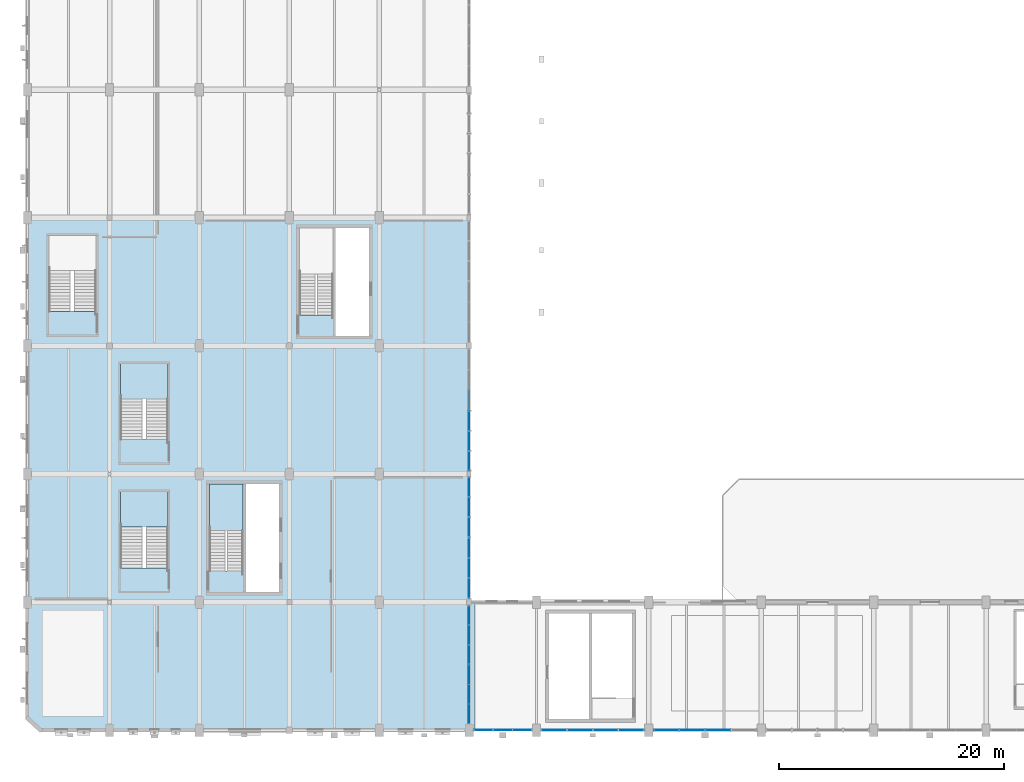
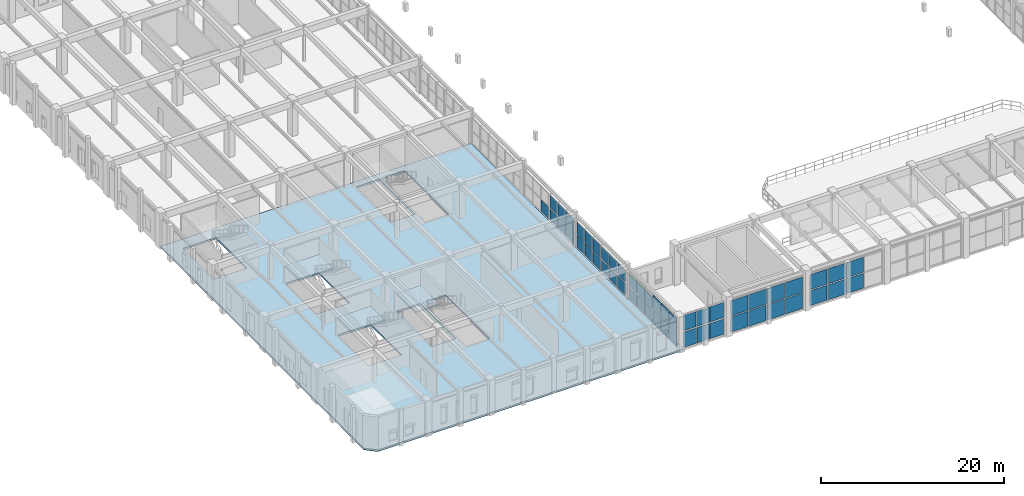
# One storey, part 68 of 106: 51 plates, 4 slabs, 12 elements without a shape of their own.
"""IFC4 building model written with IfcOpenShell, lengths in metres."""

import ifcopenshell
import ifcopenshell.guid

model = None  # the IFC model being written
_history = None  # IfcOwnerHistory: only IFC2X3 demands one
_inside = {}  # id of a spatial element -> (the spatial element, [elements in it])
_under = {}  # id of a project, library or spatial element -> (it, [spatial elements below it])
_declared = {}  # id of a project -> (the project, [libraries it declares])
_typed = {}  # id of a type object -> (the type object, [elements of that type])
_made_of = {}  # id of a material, layer set ... -> (it, [elements and type objects made of it])


def new_model(schema):
    """Start an empty IFC model of exactly this schema.

    Asked for "IFC4X3", IfcOpenShell would pick the latest addendum, in which some entities
    have other attributes; the version numbers below select the first issue.
    IFC2X3 requires an IfcOwnerHistory on every rooted entity: one is made here for all.
    """
    global model, _history
    if schema == "IFC4X3":
        model = ifcopenshell.file(schema_version=(4, 3, 0, 0))
    else:
        model = ifcopenshell.file(schema=schema)
    _inside.clear()
    _under.clear()
    _declared.clear()
    _typed.clear()
    _made_of.clear()
    _history = None
    if model.schema == "IFC2X3":
        org = make("IfcOrganization", Name="unknown")
        user = make(
            "IfcPersonAndOrganization",
            ThePerson=make("IfcPerson", FamilyName="unknown"),
            TheOrganization=org,
        )
        app = make(
            "IfcApplication",
            ApplicationDeveloper=org,
            Version="unknown",
            ApplicationFullName="unknown",
            ApplicationIdentifier="unknown",
        )
        _history = make(
            "IfcOwnerHistory",
            OwningUser=user,
            OwningApplication=app,
            ChangeAction="ADDED",
            CreationDate=0,
        )
    return model


def make(cls, **values):
    """One entity of the class cls with the attributes given. An attribute that is None is left unset."""
    return model.create_entity(
        cls, **{name: value for name, value in values.items() if value is not None}
    )


def rooted(cls, **values):
    """An entity with a GlobalId (a new one), such as an element, a storey or a relation."""
    return make(cls, GlobalId=ifcopenshell.guid.new(), OwnerHistory=_history, **values)


def si_unit(unit_type, name, prefix=None):
    """IfcSIUnit, for example si_unit("LENGTHUNIT", "METRE", prefix="MILLI")."""
    return make("IfcSIUnit", UnitType=unit_type, Prefix=prefix, Name=name)


def assignment(units):
    """IfcUnitAssignment: the units of a project."""
    return None if units is None else make("IfcUnitAssignment", Units=units)


def point(xyz):
    """IfcCartesianPoint."""
    return None if xyz is None else make("IfcCartesianPoint", Coordinates=xyz)


def direction(xyz):
    """IfcDirection."""
    return None if xyz is None else make("IfcDirection", DirectionRatios=xyz)


def frame(location, z_axis=None, x_axis=None):
    """IfcAxis2Placement3D, a coordinate frame: its origin and axes. An axis left out is left unset."""
    return make(
        "IfcAxis2Placement3D",
        Location=point(location),
        Axis=direction(z_axis),
        RefDirection=direction(x_axis),
    )


def frame_2d(location, x_axis=None):
    """IfcAxis2Placement2D, a coordinate frame in the plane: its origin and x axis."""
    return make(
        "IfcAxis2Placement2D", Location=point(location), RefDirection=direction(x_axis)
    )


def origin():
    """The frame at (0, 0, 0) with its axes left unset."""
    return frame((0.0, 0.0, 0.0))


def origin_2d():
    """The frame at (0, 0) in the plane with its x axis left unset."""
    return frame_2d((0.0, 0.0))


def place(relative_to, where):
    """IfcLocalPlacement: puts the frame where relative to a parent placement (None: the world)."""
    return make(
        "IfcLocalPlacement", PlacementRelTo=relative_to, RelativePlacement=where
    )


def context(
    kind, dimensions, precision=None, world=None, true_north=None, identifier=None
):
    """IfcGeometricRepresentationContext, for example the 3D "Model" context."""
    return make(
        "IfcGeometricRepresentationContext",
        ContextIdentifier=identifier,
        ContextType=kind,
        CoordinateSpaceDimension=dimensions,
        Precision=precision,
        WorldCoordinateSystem=world,
        TrueNorth=true_north,
    )


def subcontext(parent, identifier, kind, view, scale=None):
    """IfcGeometricRepresentationSubContext, for example "Body" below "Model"."""
    return make(
        "IfcGeometricRepresentationSubContext",
        ContextIdentifier=identifier,
        ContextType=kind,
        ParentContext=parent,
        TargetScale=scale,
        TargetView=view,
    )


def project(units=None, contexts=None):
    """IfcProject with its units and contexts."""
    return rooted(
        "IfcProject",
        Name="project",
        RepresentationContexts=contexts,
        UnitsInContext=assignment(units),
    )


def spatial(cls, under=None, at=None, **own):
    """A site, building, storey or space (cls), placed at a placement, below another one or the project."""
    s = rooted(cls, ObjectPlacement=at, **own)
    if under is not None:
        _under.setdefault(under.id(), (under, []))[1].append(s)
    return s


def polyline(points):
    """IfcPolyline through the points."""
    return make("IfcPolyline", Points=[point(p) for p in points])


def profile(cls, at=None, kind="AREA", **sizes):
    """A parametric profile (cls). Its sizes go by their IFC names, for example OverallWidth=200.0."""
    return make(cls, ProfileType=kind, Position=at, **sizes)


def rectangle(**sizes):
    """IfcRectangleProfileDef."""
    return profile("IfcRectangleProfileDef", **sizes)


def outline(outer, holes=None, kind="AREA"):
    """IfcArbitraryClosedProfileDef: a profile drawn as a closed curve; with holes, ...WithVoids."""
    if holes is None:
        return make("IfcArbitraryClosedProfileDef", ProfileType=kind, OuterCurve=outer)
    return make(
        "IfcArbitraryProfileDefWithVoids",
        ProfileType=kind,
        OuterCurve=outer,
        InnerCurves=holes,
    )


def extrude(swept, where, along, depth):
    """IfcExtrudedAreaSolid: the profile swept, set in the frame where, extruded along a direction by depth."""
    return make(
        "IfcExtrudedAreaSolid",
        SweptArea=swept,
        Position=where,
        ExtrudedDirection=direction(along),
        Depth=depth,
    )


def shape(context_of_items, identifier, shape_type, items):
    """IfcShapeRepresentation: the items that make up one representation, for example the "Body"."""
    return make(
        "IfcShapeRepresentation",
        ContextOfItems=context_of_items,
        RepresentationIdentifier=identifier,
        RepresentationType=shape_type,
        Items=items,
    )


def material(Name=None, Category=None):
    """IfcMaterial."""
    return make("IfcMaterial", Name=Name, Category=Category)


def layer(
    of_material, thickness, ventilated=None, Name=None, Category=None, Priority=None
):
    """IfcMaterialLayer: one layer of a wall or slab, of a material (None: an air gap)."""
    return make(
        "IfcMaterialLayer",
        Material=of_material,
        LayerThickness=thickness,
        IsVentilated=ventilated,
        Name=Name,
        Category=Category,
        Priority=Priority,
    )


def layer_set(layers, Name=None):
    """IfcMaterialLayerSet."""
    return make("IfcMaterialLayerSet", MaterialLayers=layers, LayerSetName=Name)


def made_of(thing, what):
    """Note that an element or type object is made of a material, layer set ...; save() writes the relation."""
    if what is not None:
        _made_of.setdefault(what.id(), (what, []))[1].append(thing)
    return thing


def type_object(cls, material=None, **own):
    """A type object (cls), such as IfcWallType, which elements share."""
    return made_of(rooted(cls, **own), material)


def element(
    cls,
    number,
    at=None,
    inside=None,
    cuts=None,
    type_object=None,
    material=None,
    context=None,
    identifier="Body",
    shape_type=None,
    held_by="IfcProductDefinitionShape",
    body=None,
    shapes=None,
    **own,
):
    """One element of the class cls, such as IfcWall. Its Tag is "e" and its number.

    at: its placement. inside: the storey or other place that contains it. cuts: it is an
    opening in that element (IfcRelVoidsElement). A single representation is given by context,
    identifier, shape_type and body (its items); several are given by shapes. held_by: the class
    of the entity that holds the representations. save() writes the other relations.
    """
    e = rooted(cls, Tag="e%d" % number, ObjectPlacement=at, **own)
    if body is not None:
        shapes = [shape(context, identifier, shape_type, body)]
    if shapes is not None:
        e.Representation = make(held_by, Representations=shapes)
    if inside is not None:
        _inside.setdefault(inside.id(), (inside, []))[1].append(e)
    if cuts is not None:
        rooted(
            "IfcRelVoidsElement", RelatingBuildingElement=cuts, RelatedOpeningElement=e
        )
    if type_object is not None:
        _typed.setdefault(type_object.id(), (type_object, []))[1].append(e)
    return made_of(e, material)


def aggregate(whole, parts):
    """IfcRelAggregates: a whole, such as a stair, and the parts it consists of."""
    return rooted("IfcRelAggregates", RelatingObject=whole, RelatedObjects=parts)


def save(model, path):
    """Write the relations noted so far, then the file.

    IfcRelAggregates (storeys below a building ...), IfcRelContainedInSpatialStructure (elements
    in a storey), IfcRelDefinesByType, IfcRelAssociatesMaterial and IfcRelDeclares: one each for
    every whole, place, type object, material and project.
    """
    for whole, parts in _under.values():
        aggregate(whole, parts)
    for where, things in _inside.values():
        rooted(
            "IfcRelContainedInSpatialStructure",
            RelatedElements=things,
            RelatingStructure=where,
        )
    for kind, things in _typed.values():
        rooted("IfcRelDefinesByType", RelatedObjects=things, RelatingType=kind)
    for what, things in _made_of.values():
        rooted("IfcRelAssociatesMaterial", RelatedObjects=things, RelatingMaterial=what)
    for by, libraries in _declared.values():
        rooted("IfcRelDeclares", RelatingContext=by, RelatedDefinitions=libraries)
    model.write(path)


model = new_model("IFC4")

# Units and contexts
model_context = context("Model", 3, precision=1e-05, world=origin(), true_north=direction((0.0, 1.0)))
body_context = subcontext(model_context, "Body", "Model", "MODEL_VIEW")
ifc_project = project(units=[si_unit("LENGTHUNIT", "METRE"), si_unit("AREAUNIT", "SQUARE_METRE"), si_unit("VOLUMEUNIT", "CUBIC_METRE"), si_unit("PLANEANGLEUNIT", "RADIAN"), si_unit("MASSUNIT", "GRAM", prefix="KILO"), si_unit("POWERUNIT", "WATT"), si_unit("THERMODYNAMICTEMPERATUREUNIT", "KELVIN")], contexts=[model_context])

# Site, building, storey
site_placement = place(None, origin())
site = spatial("IfcSite", under=ifc_project, at=site_placement, CompositionType="ELEMENT")
building_placement = place(site_placement, origin())
building = spatial("IfcBuilding", under=site, at=building_placement, Name="Kelmbourne Parkland Aquatics Centre", CompositionType="ELEMENT")
storey_placement = place(building_placement, frame((0.0, 0.0, 5.39990234375)))
storey = spatial("IfcBuildingStorey", under=building, at=storey_placement, Name="L01", CompositionType="ELEMENT", Elevation=5.39990234375)

# Curtain wall, plates
ifc_material_1 = material(Name="Thermally broken anodised aluminium framing", Category="aluminium")
ifc_layer_1 = layer(ifc_material_1, 0.179931640625)
ifc_layer_set_1 = layer_set([ifc_layer_1], Name="Thermally broken anodised aluminium framing")
curtain_wall_type_1 = type_object("IfcCurtainWallType", Name="CW-17", PredefinedType="NOTDEFINED", material=ifc_layer_set_1)
curtain_wall_1_placement = place(storey_placement, origin())
curtain_wall_1 = element("IfcCurtainWall", 1, at=curtain_wall_1_placement, inside=storey, type_object=curtain_wall_type_1, Name="Facade curtain wall CW-L01-161", PredefinedType="NOTDEFINED")
ifc_material_2 = material(Name="Double-glazed low-e laminated safety glass", Category="glass")
ifc_layer_2 = layer(ifc_material_2, 0.02392578125)
ifc_layer_set_2 = layer_set([ifc_layer_2], Name="Double-glazed low-e laminated safety glass")
plate_type_1 = type_object("IfcPlateType", Name="PL-CWP-1", PredefinedType="CURTAIN_PANEL", material=ifc_layer_set_2)
plate_1_placement = place(storey_placement, frame((41.2763671875, 0.800048828125, 2.39013671875), z_axis=(0.0, 0.0, 1.0), x_axis=(1.0, 0.0, 0.0)))
plate_1 = element("IfcPlate", 2, at=plate_1_placement, type_object=plate_type_1, Name="CW-L01-161 vision glazing 1-0", PredefinedType="CURTAIN_PANEL", context=body_context, shape_type="SweptSolid", body=[
    extrude(rectangle(XDim=1.66064453125, YDim=0.02392578125, at=origin_2d()), origin(), (0.0, 0.0, 1.0), 2.044921875),
])
plate_2_placement = place(storey_placement, frame((43.0, 0.800048828125, 2.39013671875), z_axis=(0.0, 0.0, 1.0), x_axis=(1.0, 0.0, 0.0)))
plate_2 = element("IfcPlate", 3, at=plate_2_placement, type_object=plate_type_1, Name="CW-L01-161 vision glazing 1-1", PredefinedType="CURTAIN_PANEL", context=body_context, shape_type="SweptSolid", body=[
    extrude(rectangle(XDim=1.66064453125, YDim=0.02392578125, at=origin_2d()), origin(), (0.0, 0.0, 1.0), 2.044921875),
])
plate_3_placement = place(storey_placement, frame((44.7236328125, 0.800048828125, 2.39013671875), z_axis=(0.0, 0.0, 1.0), x_axis=(1.0, 0.0, 0.0)))
plate_3 = element("IfcPlate", 4, at=plate_3_placement, type_object=plate_type_1, Name="CW-L01-161 vision glazing 1-2", PredefinedType="CURTAIN_PANEL", context=body_context, shape_type="SweptSolid", body=[
    extrude(rectangle(XDim=1.66064453125, YDim=0.02392578125, at=origin_2d()), origin(), (0.0, 0.0, 1.0), 2.044921875),
])

ifc_layer_3 = layer(ifc_material_1, 0.179931640625)
ifc_layer_set_3 = layer_set([ifc_layer_3], Name="Thermally broken anodised aluminium framing")
curtain_wall_type_2 = type_object("IfcCurtainWallType", Name="CW-18", PredefinedType="NOTDEFINED", material=ifc_layer_set_3)
curtain_wall_2_placement = place(storey_placement, origin())
curtain_wall_2 = element("IfcCurtainWall", 5, at=curtain_wall_2_placement, inside=storey, type_object=curtain_wall_type_2, Name="Facade curtain wall CW-L01-162", PredefinedType="NOTDEFINED")
plate_4_placement = place(storey_placement, frame((47.564697265625, 0.800048828125, 0.1171875), z_axis=(0.0, 0.0, 1.0), x_axis=(1.0, 0.0, 0.0)))
plate_4 = element("IfcPlate", 6, at=plate_4_placement, type_object=plate_type_1, Name="CW-L01-162 vision glazing 0-0", PredefinedType="CURTAIN_PANEL", context=body_context, shape_type="SweptSolid", body=[
    extrude(rectangle(XDim=2.21728515625, YDim=0.02392578125, at=origin_2d()), origin(), (0.0, 0.0, 1.0), 2.051513671875),
])
plate_5_placement = place(storey_placement, frame((49.854736328125, 0.800048828125, 0.1171875), z_axis=(0.0, 0.0, 1.0), x_axis=(1.0, 0.0, 0.0)))
plate_5 = element("IfcPlate", 7, at=plate_5_placement, type_object=plate_type_1, Name="CW-L01-162 vision glazing 0-1", PredefinedType="CURTAIN_PANEL", context=body_context, shape_type="SweptSolid", body=[
    extrude(rectangle(XDim=2.21728515625, YDim=0.02392578125, at=origin_2d()), origin(), (0.0, 0.0, 1.0), 2.051513671875),
])
plate_6_placement = place(storey_placement, frame((52.14501953125, 0.800048828125, 0.1171875), z_axis=(0.0, 0.0, 1.0), x_axis=(1.0, 0.0, 0.0)))
plate_6 = element("IfcPlate", 8, at=plate_6_placement, type_object=plate_type_1, Name="CW-L01-162 vision glazing 0-2", PredefinedType="CURTAIN_PANEL", context=body_context, shape_type="SweptSolid", body=[
    extrude(rectangle(XDim=2.21728515625, YDim=0.02392578125, at=origin_2d()), origin(), (0.0, 0.0, 1.0), 2.051513671875),
])
plate_7_placement = place(storey_placement, frame((54.435302734375, 0.800048828125, 0.1171875), z_axis=(0.0, 0.0, 1.0), x_axis=(1.0, 0.0, 0.0)))
plate_7 = element("IfcPlate", 9, at=plate_7_placement, type_object=plate_type_1, Name="CW-L01-162 vision glazing 0-3", PredefinedType="CURTAIN_PANEL", context=body_context, shape_type="SweptSolid", body=[
    extrude(rectangle(XDim=2.21728515625, YDim=0.02392578125, at=origin_2d()), origin(), (0.0, 0.0, 1.0), 2.051513671875),
])

ifc_layer_4 = layer(ifc_material_1, 0.179931640625)
ifc_layer_set_4 = layer_set([ifc_layer_4], Name="Thermally broken anodised aluminium framing")
curtain_wall_type_3 = type_object("IfcCurtainWallType", Name="CW-09", PredefinedType="NOTDEFINED", material=ifc_layer_set_4)
curtain_wall_3_placement = place(storey_placement, origin())
curtain_wall_3 = element("IfcCurtainWall", 10, at=curtain_wall_3_placement, inside=storey, type_object=curtain_wall_type_3, Name="Facade curtain wall CW-L01-225", PredefinedType="NOTDEFINED")
plate_8_placement = place(storey_placement, frame((40.0, 2.25244140625, 0.1171875), z_axis=(0.0, 0.0, 1.0), x_axis=(0.0, 1.0, 0.0)))
plate_8 = element("IfcPlate", 11, at=plate_8_placement, type_object=plate_type_1, Name="CW-L01-225 vision glazing 0-0", PredefinedType="CURTAIN_PANEL", context=body_context, shape_type="SweptSolid", body=[
    extrude(rectangle(XDim=1.68310546875, YDim=0.02392578125, at=origin_2d()), origin(), (0.0, 0.0, 1.0), 1.8349609375),
])
plate_9_placement = place(storey_placement, frame((40.0, 3.988525390625, 0.1171875), z_axis=(0.0, 0.0, 1.0), x_axis=(0.0, 1.0, 0.0)))
plate_9 = element("IfcPlate", 12, at=plate_9_placement, type_object=plate_type_1, Name="CW-L01-225 vision glazing 0-1", PredefinedType="CURTAIN_PANEL", context=body_context, shape_type="SweptSolid", body=[
    extrude(rectangle(XDim=1.68310546875, YDim=0.02392578125, at=origin_2d()), origin(), (0.0, 0.0, 1.0), 1.8349609375),
])
plate_10_placement = place(storey_placement, frame((40.0, 5.724609375, 0.1171875), z_axis=(0.0, 0.0, 1.0), x_axis=(0.0, 1.0, 0.0)))
plate_10 = element("IfcPlate", 13, at=plate_10_placement, type_object=plate_type_1, Name="CW-L01-225 vision glazing 0-2", PredefinedType="CURTAIN_PANEL", context=body_context, shape_type="SweptSolid", body=[
    extrude(rectangle(XDim=1.68310546875, YDim=0.02392578125, at=origin_2d()), origin(), (0.0, 0.0, 1.0), 1.8349609375),
])

ifc_layer_5 = layer(ifc_material_1, 0.179931640625)
ifc_layer_set_5 = layer_set([ifc_layer_5], Name="Thermally broken anodised aluminium framing")
curtain_wall_type_4 = type_object("IfcCurtainWallType", Name="CW-11", PredefinedType="NOTDEFINED", material=ifc_layer_set_5)
curtain_wall_4_placement = place(storey_placement, origin())
curtain_wall_4 = element("IfcCurtainWall", 14, at=curtain_wall_4_placement, inside=storey, type_object=curtain_wall_type_4, Name="Facade curtain wall CW-L01-227", PredefinedType="NOTDEFINED")
plate_11_placement = place(storey_placement, frame((40.0, 13.43408203125, 1.90673828125), z_axis=(0.0, 0.0, 1.0), x_axis=(0.0, 1.0, 0.0)))
plate_11 = element("IfcPlate", 15, at=plate_11_placement, type_object=plate_type_1, Name="CW-L01-227 vision glazing 1-0", PredefinedType="CURTAIN_PANEL", context=body_context, shape_type="SweptSolid", body=[
    extrude(rectangle(XDim=1.706298828125, YDim=0.02392578125, at=origin_2d()), origin(), (0.0, 0.0, 1.0), 1.5615234375),
])
plate_12_placement = place(storey_placement, frame((40.0, 15.21337890625, 1.90673828125), z_axis=(0.0, 0.0, 1.0), x_axis=(0.0, 1.0, 0.0)))
plate_12 = element("IfcPlate", 16, at=plate_12_placement, type_object=plate_type_1, Name="CW-L01-227 vision glazing 1-1", PredefinedType="CURTAIN_PANEL", context=body_context, shape_type="SweptSolid", body=[
    extrude(rectangle(XDim=1.706298828125, YDim=0.02392578125, at=origin_2d()), origin(), (0.0, 0.0, 1.0), 1.5615234375),
])
plate_13_placement = place(storey_placement, frame((40.0, 16.992919921875, 1.90673828125), z_axis=(0.0, 0.0, 1.0), x_axis=(0.0, 1.0, 0.0)))
plate_13 = element("IfcPlate", 17, at=plate_13_placement, type_object=plate_type_1, Name="CW-L01-227 vision glazing 1-2", PredefinedType="CURTAIN_PANEL", context=body_context, shape_type="SweptSolid", body=[
    extrude(rectangle(XDim=1.706298828125, YDim=0.02392578125, at=origin_2d()), origin(), (0.0, 0.0, 1.0), 1.5615234375),
])

ifc_layer_6 = layer(ifc_material_1, 0.179931640625)
ifc_layer_set_6 = layer_set([ifc_layer_6], Name="Thermally broken anodised aluminium framing")
curtain_wall_type_5 = type_object("IfcCurtainWallType", Name="CW-12", PredefinedType="NOTDEFINED", material=ifc_layer_set_6)
curtain_wall_5_placement = place(storey_placement, origin())
curtain_wall_5 = element("IfcCurtainWall", 18, at=curtain_wall_5_placement, inside=storey, type_object=curtain_wall_type_5, Name="Facade curtain wall CW-L01-228", PredefinedType="NOTDEFINED")
plate_14_placement = place(storey_placement, frame((40.0, 18.860595703125, 0.1171875), z_axis=(0.0, 0.0, 1.0), x_axis=(0.0, 1.0, 0.0)))
plate_14 = element("IfcPlate", 19, at=plate_14_placement, type_object=plate_type_1, Name="CW-L01-228 vision glazing 0-0", PredefinedType="CURTAIN_PANEL", context=body_context, shape_type="SweptSolid", body=[
    extrude(rectangle(XDim=1.693115234375, YDim=0.02392578125, at=origin_2d()), origin(), (0.0, 0.0, 1.0), 1.651611328125),
])
plate_15_placement = place(storey_placement, frame((40.0, 20.636474609375, 0.1171875), z_axis=(0.0, 0.0, 1.0), x_axis=(0.0, 1.0, 0.0)))
plate_15 = element("IfcPlate", 20, at=plate_15_placement, type_object=plate_type_1, Name="CW-L01-228 vision glazing 0-1", PredefinedType="CURTAIN_PANEL", context=body_context, shape_type="SweptSolid", body=[
    extrude(rectangle(XDim=1.693115234375, YDim=0.02392578125, at=origin_2d()), origin(), (0.0, 0.0, 1.0), 1.651611328125),
])
plate_16_placement = place(storey_placement, frame((40.0, 22.41259765625, 0.1171875), z_axis=(0.0, 0.0, 1.0), x_axis=(0.0, 1.0, 0.0)))
plate_16 = element("IfcPlate", 21, at=plate_16_placement, type_object=plate_type_1, Name="CW-L01-228 vision glazing 0-2", PredefinedType="CURTAIN_PANEL", context=body_context, shape_type="SweptSolid", body=[
    extrude(rectangle(XDim=1.693115234375, YDim=0.02392578125, at=origin_2d()), origin(), (0.0, 0.0, 1.0), 1.651611328125),
])

# Plate
ifc_layer_7 = layer(ifc_material_2, 0.035888671875)
ifc_layer_set_7 = layer_set([ifc_layer_7], Name="Double-glazed low-e laminated safety glass")
plate_type_2 = type_object("IfcPlateType", Name="PL-CWP-2", PredefinedType="CURTAIN_PANEL", material=ifc_layer_set_7)
plate_17_placement = place(storey_placement, frame((47.564697265625, 0.800048828125, 2.2763671875), z_axis=(0.0, 0.0, 1.0), x_axis=(1.0, 0.0, 0.0)))
plate_17 = element("IfcPlate", 22, at=plate_17_placement, type_object=plate_type_2, Name="CW-L01-162 vision glazing 1-0", PredefinedType="CURTAIN_PANEL", context=body_context, shape_type="SweptSolid", body=[
    extrude(rectangle(XDim=2.21728515625, YDim=0.035888671875, at=origin_2d()), origin(), (0.0, 0.0, 1.0), 2.051513671875),
])

plate_18_placement = place(storey_placement, frame((49.854736328125, 0.800048828125, 2.2763671875), z_axis=(0.0, 0.0, 1.0), x_axis=(1.0, 0.0, 0.0)))
plate_18 = element("IfcPlate", 23, at=plate_18_placement, type_object=plate_type_2, Name="CW-L01-162 vision glazing 1-1", PredefinedType="CURTAIN_PANEL", context=body_context, shape_type="SweptSolid", body=[
    extrude(rectangle(XDim=2.21728515625, YDim=0.035888671875, at=origin_2d()), origin(), (0.0, 0.0, 1.0), 2.051513671875),
])

plate_19_placement = place(storey_placement, frame((52.14501953125, 0.800048828125, 2.2763671875), z_axis=(0.0, 0.0, 1.0), x_axis=(1.0, 0.0, 0.0)))
plate_19 = element("IfcPlate", 24, at=plate_19_placement, type_object=plate_type_2, Name="CW-L01-162 vision glazing 1-2", PredefinedType="CURTAIN_PANEL", context=body_context, shape_type="SweptSolid", body=[
    extrude(rectangle(XDim=2.21728515625, YDim=0.035888671875, at=origin_2d()), origin(), (0.0, 0.0, 1.0), 2.051513671875),
])

plate_20_placement = place(storey_placement, frame((54.435302734375, 0.800048828125, 2.2763671875), z_axis=(0.0, 0.0, 1.0), x_axis=(1.0, 0.0, 0.0)))
plate_20 = element("IfcPlate", 25, at=plate_20_placement, type_object=plate_type_2, Name="CW-L01-162 vision glazing 1-3", PredefinedType="CURTAIN_PANEL", context=body_context, shape_type="SweptSolid", body=[
    extrude(rectangle(XDim=2.21728515625, YDim=0.035888671875, at=origin_2d()), origin(), (0.0, 0.0, 1.0), 2.051513671875),
])

aggregate(curtain_wall_2, [plate_4, plate_5, plate_6, plate_7, plate_17, plate_18, plate_19, plate_20])

# Curtain wall, plates
ifc_layer_8 = layer(ifc_material_1, 0.179931640625)
ifc_layer_set_8 = layer_set([ifc_layer_8], Name="Thermally broken anodised aluminium framing")
curtain_wall_type_6 = type_object("IfcCurtainWallType", Name="CW-19", PredefinedType="NOTDEFINED", material=ifc_layer_set_8)
curtain_wall_6_placement = place(storey_placement, origin())
curtain_wall_6 = element("IfcCurtainWall", 26, at=curtain_wall_6_placement, inside=storey, type_object=curtain_wall_type_6, Name="Facade curtain wall CW-L01-163", PredefinedType="NOTDEFINED")
plate_21_placement = place(storey_placement, frame((57.568359375, 0.800048828125, 0.14697265625), z_axis=(0.0, 0.0, 1.0), x_axis=(1.0, 0.0, 0.0)))
plate_21 = element("IfcPlate", 27, at=plate_21_placement, type_object=plate_type_2, Name="CW-L01-163 vision glazing 0-0", PredefinedType="CURTAIN_PANEL", context=body_context, shape_type="SweptSolid", body=[
    extrude(rectangle(XDim=2.204833984375, YDim=0.035888671875, at=origin_2d()), origin(), (0.0, 0.0, 1.0), 2.006591796875),
])
plate_22_placement = place(storey_placement, frame((59.856201171875, 0.800048828125, 0.14697265625), z_axis=(0.0, 0.0, 1.0), x_axis=(1.0, 0.0, 0.0)))
plate_22 = element("IfcPlate", 28, at=plate_22_placement, type_object=plate_type_2, Name="CW-L01-163 vision glazing 0-1", PredefinedType="CURTAIN_PANEL", context=body_context, shape_type="SweptSolid", body=[
    extrude(rectangle(XDim=2.20458984375, YDim=0.035888671875, at=origin_2d()), origin(), (0.0, 0.0, 1.0), 2.006591796875),
])
plate_23_placement = place(storey_placement, frame((62.143798828125, 0.800048828125, 0.14697265625), z_axis=(0.0, 0.0, 1.0), x_axis=(1.0, 0.0, 0.0)))
plate_23 = element("IfcPlate", 29, at=plate_23_placement, type_object=plate_type_2, Name="CW-L01-163 vision glazing 0-2", PredefinedType="CURTAIN_PANEL", context=body_context, shape_type="SweptSolid", body=[
    extrude(rectangle(XDim=2.204833984375, YDim=0.035888671875, at=origin_2d()), origin(), (0.0, 0.0, 1.0), 2.006591796875),
])

# Plate
plate_24_placement = place(storey_placement, frame((40.0, 2.25244140625, 2.06005859375), z_axis=(0.0, 0.0, 1.0), x_axis=(0.0, 1.0, 0.0)))
plate_24 = element("IfcPlate", 30, at=plate_24_placement, type_object=plate_type_2, Name="CW-L01-225 vision glazing 1-0", PredefinedType="CURTAIN_PANEL", context=body_context, shape_type="SweptSolid", body=[
    extrude(rectangle(XDim=1.68310546875, YDim=0.035888671875, at=origin_2d()), origin(), (0.0, 0.0, 1.0), 1.8349609375),
])

plate_25_placement = place(storey_placement, frame((40.0, 3.988525390625, 2.06005859375), z_axis=(0.0, 0.0, 1.0), x_axis=(0.0, 1.0, 0.0)))
plate_25 = element("IfcPlate", 31, at=plate_25_placement, type_object=plate_type_2, Name="CW-L01-225 vision glazing 1-1", PredefinedType="CURTAIN_PANEL", context=body_context, shape_type="SweptSolid", body=[
    extrude(rectangle(XDim=1.68310546875, YDim=0.035888671875, at=origin_2d()), origin(), (0.0, 0.0, 1.0), 1.8349609375),
])

plate_26_placement = place(storey_placement, frame((40.0, 5.724609375, 2.06005859375), z_axis=(0.0, 0.0, 1.0), x_axis=(0.0, 1.0, 0.0)))
plate_26 = element("IfcPlate", 32, at=plate_26_placement, type_object=plate_type_2, Name="CW-L01-225 vision glazing 1-2", PredefinedType="CURTAIN_PANEL", context=body_context, shape_type="SweptSolid", body=[
    extrude(rectangle(XDim=1.68310546875, YDim=0.035888671875, at=origin_2d()), origin(), (0.0, 0.0, 1.0), 1.8349609375),
])

aggregate(curtain_wall_3, [plate_8, plate_9, plate_10, plate_24, plate_25, plate_26])

# Curtain wall, plates
ifc_layer_9 = layer(ifc_material_1, 0.179931640625)
ifc_layer_set_9 = layer_set([ifc_layer_9], Name="Thermally broken anodised aluminium framing")
curtain_wall_type_7 = type_object("IfcCurtainWallType", Name="CW-10", PredefinedType="NOTDEFINED", material=ifc_layer_set_9)
curtain_wall_7_placement = place(storey_placement, origin())
curtain_wall_7 = element("IfcCurtainWall", 33, at=curtain_wall_7_placement, inside=storey, type_object=curtain_wall_type_7, Name="Facade curtain wall CW-L01-226", PredefinedType="NOTDEFINED")
plate_27_placement = place(storey_placement, frame((40.0, 7.52880859375, 0.14697265625), z_axis=(0.0, 0.0, 1.0), x_axis=(0.0, 1.0, 0.0)))
plate_27 = element("IfcPlate", 34, at=plate_27_placement, type_object=plate_type_2, Name="CW-L01-226 vision glazing 0-0", PredefinedType="CURTAIN_PANEL", context=body_context, shape_type="SweptSolid", body=[
    extrude(rectangle(XDim=1.669677734375, YDim=0.035888671875, at=origin_2d()), origin(), (0.0, 0.0, 1.0), 1.6064453125),
])
plate_28_placement = place(storey_placement, frame((40.0, 9.261474609375, 0.14697265625), z_axis=(0.0, 0.0, 1.0), x_axis=(0.0, 1.0, 0.0)))
plate_28 = element("IfcPlate", 35, at=plate_28_placement, type_object=plate_type_2, Name="CW-L01-226 vision glazing 0-1", PredefinedType="CURTAIN_PANEL", context=body_context, shape_type="SweptSolid", body=[
    extrude(rectangle(XDim=1.669677734375, YDim=0.035888671875, at=origin_2d()), origin(), (0.0, 0.0, 1.0), 1.6064453125),
])
plate_29_placement = place(storey_placement, frame((40.0, 10.994140625, 0.14697265625), z_axis=(0.0, 0.0, 1.0), x_axis=(0.0, 1.0, 0.0)))
plate_29 = element("IfcPlate", 36, at=plate_29_placement, type_object=plate_type_2, Name="CW-L01-226 vision glazing 0-2", PredefinedType="CURTAIN_PANEL", context=body_context, shape_type="SweptSolid", body=[
    extrude(rectangle(XDim=1.669677734375, YDim=0.035888671875, at=origin_2d()), origin(), (0.0, 0.0, 1.0), 1.6064453125),
])

# Plate
plate_30_placement = place(storey_placement, frame((40.0, 18.860595703125, 1.87646484375), z_axis=(0.0, 0.0, 1.0), x_axis=(0.0, 1.0, 0.0)))
plate_30 = element("IfcPlate", 37, at=plate_30_placement, type_object=plate_type_2, Name="CW-L01-228 vision glazing 1-0", PredefinedType="CURTAIN_PANEL", context=body_context, shape_type="SweptSolid", body=[
    extrude(rectangle(XDim=1.693115234375, YDim=0.035888671875, at=origin_2d()), origin(), (0.0, 0.0, 1.0), 1.651611328125),
])

plate_31_placement = place(storey_placement, frame((40.0, 20.636474609375, 1.87646484375), z_axis=(0.0, 0.0, 1.0), x_axis=(0.0, 1.0, 0.0)))
plate_31 = element("IfcPlate", 38, at=plate_31_placement, type_object=plate_type_2, Name="CW-L01-228 vision glazing 1-1", PredefinedType="CURTAIN_PANEL", context=body_context, shape_type="SweptSolid", body=[
    extrude(rectangle(XDim=1.693115234375, YDim=0.035888671875, at=origin_2d()), origin(), (0.0, 0.0, 1.0), 1.651611328125),
])

plate_32_placement = place(storey_placement, frame((40.0, 22.41259765625, 1.87646484375), z_axis=(0.0, 0.0, 1.0), x_axis=(0.0, 1.0, 0.0)))
plate_32 = element("IfcPlate", 39, at=plate_32_placement, type_object=plate_type_2, Name="CW-L01-228 vision glazing 1-2", PredefinedType="CURTAIN_PANEL", context=body_context, shape_type="SweptSolid", body=[
    extrude(rectangle(XDim=1.693115234375, YDim=0.035888671875, at=origin_2d()), origin(), (0.0, 0.0, 1.0), 1.651611328125),
])

aggregate(curtain_wall_5, [plate_14, plate_15, plate_16, plate_30, plate_31, plate_32])

# Curtain wall, plates
ifc_layer_10 = layer(ifc_material_1, 0.179931640625)
ifc_layer_set_10 = layer_set([ifc_layer_10], Name="Thermally broken anodised aluminium framing")
curtain_wall_type_8 = type_object("IfcCurtainWallType", Name="CW-13", PredefinedType="NOTDEFINED", material=ifc_layer_set_10)
curtain_wall_8_placement = place(storey_placement, origin())
curtain_wall_8 = element("IfcCurtainWall", 40, at=curtain_wall_8_placement, inside=storey, type_object=curtain_wall_type_8, Name="Facade curtain wall CW-L01-229", PredefinedType="NOTDEFINED")
plate_33_placement = place(storey_placement, frame((40.0, 24.790771484375, 0.14697265625), z_axis=(0.0, 0.0, 1.0), x_axis=(0.0, 1.0, 0.0)))
plate_33 = element("IfcPlate", 41, at=plate_33_placement, type_object=plate_type_2, Name="CW-L01-229 vision glazing 0-0", PredefinedType="CURTAIN_PANEL", context=body_context, shape_type="SweptSolid", body=[
    extrude(rectangle(XDim=1.6796875, YDim=0.035888671875, at=origin_2d()), origin(), (0.0, 0.0, 1.0), 1.6064453125),
])
plate_34_placement = place(storey_placement, frame((40.0, 26.5634765625, 0.14697265625), z_axis=(0.0, 0.0, 1.0), x_axis=(0.0, 1.0, 0.0)))
plate_34 = element("IfcPlate", 42, at=plate_34_placement, type_object=plate_type_2, Name="CW-L01-229 vision glazing 0-1", PredefinedType="CURTAIN_PANEL", context=body_context, shape_type="SweptSolid", body=[
    extrude(rectangle(XDim=1.6796875, YDim=0.035888671875, at=origin_2d()), origin(), (0.0, 0.0, 1.0), 1.6064453125),
])
plate_35_placement = place(storey_placement, frame((40.0, 28.336181640625, 0.14697265625), z_axis=(0.0, 0.0, 1.0), x_axis=(0.0, 1.0, 0.0)))
plate_35 = element("IfcPlate", 43, at=plate_35_placement, type_object=plate_type_2, Name="CW-L01-229 vision glazing 0-2", PredefinedType="CURTAIN_PANEL", context=body_context, shape_type="SweptSolid", body=[
    extrude(rectangle(XDim=1.6796875, YDim=0.035888671875, at=origin_2d()), origin(), (0.0, 0.0, 1.0), 1.6064453125),
])

# Plate
ifc_layer_11 = layer(ifc_material_2, 0.048095703125)
ifc_layer_set_11 = layer_set([ifc_layer_11], Name="Double-glazed low-e laminated safety glass")
plate_type_3 = type_object("IfcPlateType", Name="PL-CWP-3", PredefinedType="CURTAIN_PANEL", material=ifc_layer_set_11)
plate_36_placement = place(storey_placement, frame((41.2763671875, 0.800048828125, 0.17724609375), z_axis=(0.0, 0.0, 1.0), x_axis=(1.0, 0.0, 0.0)))
plate_36 = element("IfcPlate", 44, at=plate_36_placement, type_object=plate_type_3, Name="CW-L01-161 vision glazing 0-0", PredefinedType="CURTAIN_PANEL", context=body_context, shape_type="SweptSolid", body=[
    extrude(rectangle(XDim=1.66064453125, YDim=0.048095703125, at=origin_2d()), origin(), (0.0, 0.0, 1.0), 2.044921875),
])

plate_37_placement = place(storey_placement, frame((43.0, 0.800048828125, 0.17724609375), z_axis=(0.0, 0.0, 1.0), x_axis=(1.0, 0.0, 0.0)))
plate_37 = element("IfcPlate", 45, at=plate_37_placement, type_object=plate_type_3, Name="CW-L01-161 vision glazing 0-1", PredefinedType="CURTAIN_PANEL", context=body_context, shape_type="SweptSolid", body=[
    extrude(rectangle(XDim=1.66064453125, YDim=0.048095703125, at=origin_2d()), origin(), (0.0, 0.0, 1.0), 2.044921875),
])

plate_38_placement = place(storey_placement, frame((44.7236328125, 0.800048828125, 0.17724609375), z_axis=(0.0, 0.0, 1.0), x_axis=(1.0, 0.0, 0.0)))
plate_38 = element("IfcPlate", 46, at=plate_38_placement, type_object=plate_type_3, Name="CW-L01-161 vision glazing 0-2", PredefinedType="CURTAIN_PANEL", context=body_context, shape_type="SweptSolid", body=[
    extrude(rectangle(XDim=1.66064453125, YDim=0.048095703125, at=origin_2d()), origin(), (0.0, 0.0, 1.0), 2.044921875),
])

aggregate(curtain_wall_1, [plate_36, plate_37, plate_38, plate_1, plate_2, plate_3])

plate_39_placement = place(storey_placement, frame((57.568359375, 0.800048828125, 2.29150390625), z_axis=(0.0, 0.0, 1.0), x_axis=(1.0, 0.0, 0.0)))
plate_39 = element("IfcPlate", 47, at=plate_39_placement, type_object=plate_type_3, Name="CW-L01-163 vision glazing 1-0", PredefinedType="CURTAIN_PANEL", context=body_context, shape_type="SweptSolid", body=[
    extrude(rectangle(XDim=2.204833984375, YDim=0.048095703125, at=origin_2d()), origin(), (0.0, 0.0, 1.0), 2.006591796875),
])

plate_40_placement = place(storey_placement, frame((59.856201171875, 0.800048828125, 2.29150390625), z_axis=(0.0, 0.0, 1.0), x_axis=(1.0, 0.0, 0.0)))
plate_40 = element("IfcPlate", 48, at=plate_40_placement, type_object=plate_type_3, Name="CW-L01-163 vision glazing 1-1", PredefinedType="CURTAIN_PANEL", context=body_context, shape_type="SweptSolid", body=[
    extrude(rectangle(XDim=2.20458984375, YDim=0.048095703125, at=origin_2d()), origin(), (0.0, 0.0, 1.0), 2.006591796875),
])

plate_41_placement = place(storey_placement, frame((62.143798828125, 0.800048828125, 2.29150390625), z_axis=(0.0, 0.0, 1.0), x_axis=(1.0, 0.0, 0.0)))
plate_41 = element("IfcPlate", 49, at=plate_41_placement, type_object=plate_type_3, Name="CW-L01-163 vision glazing 1-2", PredefinedType="CURTAIN_PANEL", context=body_context, shape_type="SweptSolid", body=[
    extrude(rectangle(XDim=2.204833984375, YDim=0.048095703125, at=origin_2d()), origin(), (0.0, 0.0, 1.0), 2.006591796875),
])

aggregate(curtain_wall_6, [plate_21, plate_22, plate_23, plate_39, plate_40, plate_41])

plate_42_placement = place(storey_placement, frame((40.0, 7.52880859375, 1.8916015625), z_axis=(0.0, 0.0, 1.0), x_axis=(0.0, 1.0, 0.0)))
plate_42 = element("IfcPlate", 50, at=plate_42_placement, type_object=plate_type_3, Name="CW-L01-226 vision glazing 1-0", PredefinedType="CURTAIN_PANEL", context=body_context, shape_type="SweptSolid", body=[
    extrude(rectangle(XDim=1.669677734375, YDim=0.048095703125, at=origin_2d()), origin(), (0.0, 0.0, 1.0), 1.6064453125),
])

plate_43_placement = place(storey_placement, frame((40.0, 9.261474609375, 1.8916015625), z_axis=(0.0, 0.0, 1.0), x_axis=(0.0, 1.0, 0.0)))
plate_43 = element("IfcPlate", 51, at=plate_43_placement, type_object=plate_type_3, Name="CW-L01-226 vision glazing 1-1", PredefinedType="CURTAIN_PANEL", context=body_context, shape_type="SweptSolid", body=[
    extrude(rectangle(XDim=1.669677734375, YDim=0.048095703125, at=origin_2d()), origin(), (0.0, 0.0, 1.0), 1.6064453125),
])

plate_44_placement = place(storey_placement, frame((40.0, 10.994140625, 1.8916015625), z_axis=(0.0, 0.0, 1.0), x_axis=(0.0, 1.0, 0.0)))
plate_44 = element("IfcPlate", 52, at=plate_44_placement, type_object=plate_type_3, Name="CW-L01-226 vision glazing 1-2", PredefinedType="CURTAIN_PANEL", context=body_context, shape_type="SweptSolid", body=[
    extrude(rectangle(XDim=1.669677734375, YDim=0.048095703125, at=origin_2d()), origin(), (0.0, 0.0, 1.0), 1.6064453125),
])

aggregate(curtain_wall_7, [plate_27, plate_28, plate_29, plate_42, plate_43, plate_44])

plate_45_placement = place(storey_placement, frame((40.0, 13.43408203125, 0.17724609375), z_axis=(0.0, 0.0, 1.0), x_axis=(0.0, 1.0, 0.0)))
plate_45 = element("IfcPlate", 53, at=plate_45_placement, type_object=plate_type_3, Name="CW-L01-227 vision glazing 0-0", PredefinedType="CURTAIN_PANEL", context=body_context, shape_type="SweptSolid", body=[
    extrude(rectangle(XDim=1.706298828125, YDim=0.048095703125, at=origin_2d()), origin(), (0.0, 0.0, 1.0), 1.5615234375),
])

plate_46_placement = place(storey_placement, frame((40.0, 15.21337890625, 0.17724609375), z_axis=(0.0, 0.0, 1.0), x_axis=(0.0, 1.0, 0.0)))
plate_46 = element("IfcPlate", 54, at=plate_46_placement, type_object=plate_type_3, Name="CW-L01-227 vision glazing 0-1", PredefinedType="CURTAIN_PANEL", context=body_context, shape_type="SweptSolid", body=[
    extrude(rectangle(XDim=1.706298828125, YDim=0.048095703125, at=origin_2d()), origin(), (0.0, 0.0, 1.0), 1.5615234375),
])

plate_47_placement = place(storey_placement, frame((40.0, 16.992919921875, 0.17724609375), z_axis=(0.0, 0.0, 1.0), x_axis=(0.0, 1.0, 0.0)))
plate_47 = element("IfcPlate", 55, at=plate_47_placement, type_object=plate_type_3, Name="CW-L01-227 vision glazing 0-2", PredefinedType="CURTAIN_PANEL", context=body_context, shape_type="SweptSolid", body=[
    extrude(rectangle(XDim=1.706298828125, YDim=0.048095703125, at=origin_2d()), origin(), (0.0, 0.0, 1.0), 1.5615234375),
])

aggregate(curtain_wall_4, [plate_45, plate_46, plate_47, plate_11, plate_12, plate_13])

plate_48_placement = place(storey_placement, frame((40.0, 24.790771484375, 1.8916015625), z_axis=(0.0, 0.0, 1.0), x_axis=(0.0, 1.0, 0.0)))
plate_48 = element("IfcPlate", 56, at=plate_48_placement, type_object=plate_type_3, Name="CW-L01-229 vision glazing 1-0", PredefinedType="CURTAIN_PANEL", context=body_context, shape_type="SweptSolid", body=[
    extrude(rectangle(XDim=1.6796875, YDim=0.048095703125, at=origin_2d()), origin(), (0.0, 0.0, 1.0), 1.6064453125),
])

plate_49_placement = place(storey_placement, frame((40.0, 26.5634765625, 1.8916015625), z_axis=(0.0, 0.0, 1.0), x_axis=(0.0, 1.0, 0.0)))
plate_49 = element("IfcPlate", 57, at=plate_49_placement, type_object=plate_type_3, Name="CW-L01-229 vision glazing 1-1", PredefinedType="CURTAIN_PANEL", context=body_context, shape_type="SweptSolid", body=[
    extrude(rectangle(XDim=1.6796875, YDim=0.048095703125, at=origin_2d()), origin(), (0.0, 0.0, 1.0), 1.6064453125),
])

plate_50_placement = place(storey_placement, frame((40.0, 28.336181640625, 1.8916015625), z_axis=(0.0, 0.0, 1.0), x_axis=(0.0, 1.0, 0.0)))
plate_50 = element("IfcPlate", 58, at=plate_50_placement, type_object=plate_type_3, Name="CW-L01-229 vision glazing 1-2", PredefinedType="CURTAIN_PANEL", context=body_context, shape_type="SweptSolid", body=[
    extrude(rectangle(XDim=1.6796875, YDim=0.048095703125, at=origin_2d()), origin(), (0.0, 0.0, 1.0), 1.6064453125),
])

aggregate(curtain_wall_8, [plate_33, plate_34, plate_35, plate_48, plate_49, plate_50])

# Curtain wall, plate
ifc_layer_12 = layer(ifc_material_1, 0.179931640625)
ifc_layer_set_12 = layer_set([ifc_layer_12], Name="Thermally broken anodised aluminium framing")
curtain_wall_type_9 = type_object("IfcCurtainWallType", Name="CW-14", PredefinedType="NOTDEFINED", material=ifc_layer_set_12)
curtain_wall_9_placement = place(storey_placement, origin())
curtain_wall_9 = element("IfcCurtainWall", 59, at=curtain_wall_9_placement, inside=storey, type_object=curtain_wall_type_9, Name="Facade curtain wall CW-L01-230", PredefinedType="NOTDEFINED")
plate_51_placement = place(storey_placement, frame((40.0, 30.200439453125, 0.17724609375), z_axis=(0.0, 0.0, 1.0), x_axis=(0.0, 1.0, 0.0)))
plate_51 = element("IfcPlate", 60, at=plate_51_placement, type_object=plate_type_3, Name="CW-L01-230 vision glazing 0-0", PredefinedType="CURTAIN_PANEL", context=body_context, shape_type="SweptSolid", body=[
    extrude(rectangle(XDim=1.73291015625, YDim=0.048095703125, at=origin_2d()), origin(), (0.0, 0.0, 1.0), 1.5615234375),
])
aggregate(curtain_wall_9, [plate_51])

# Slab
ifc_material_3 = material(Name="Concrete C40/50", Category="concrete")
ifc_layer_13 = layer(ifc_material_3, 0.239990234375)
ifc_layer_set_13 = layer_set([ifc_layer_13], Name="Concrete C40/50")
slab_type_1 = type_object("IfcSlabType", Name="SL-F2", PredefinedType="FLOOR", material=ifc_layer_set_13)
slab_1_placement = place(storey_placement, frame((0.0, 0.0, -0.239990234375)))
element("IfcSlab", 61, at=slab_1_placement, inside=storey, type_object=slab_type_1, Name="Suspended floor slab SLAB-L01-V5S", PredefinedType="FLOOR", context=body_context, shape_type="SweptSolid", body=[
    extrude(outline(polyline([(40.5, 0.800048828125), (40.5, 12.199951171875), (39.949951171875, 12.199951171875), (39.949951171875, 46.39990234375), (0.699951171875, 46.39990234375), (0.699951171875, 1.85009765625), (1.85009765625, 0.800048828125), (40.5, 0.800048828125)]), holes=[polyline([(20.125, 22.699951171875), (23.10009765625, 22.699951171875), (23.10009765625, 13.10009765625), (20.125, 13.10009765625), (20.125, 22.699951171875)]), polyline([(13.199951171875, 22.0), (13.199951171875, 15.25), (9.0, 15.25), (9.0, 22.0), (13.199951171875, 22.0)]), polyline([(19.875, 22.699951171875), (19.875, 14.949951171875), (16.89990234375, 14.949951171875), (16.89990234375, 22.699951171875), (19.875, 22.699951171875)]), polyline([(13.199951171875, 33.39990234375), (13.199951171875, 26.64990234375), (9.0, 26.64990234375), (9.0, 33.39990234375), (13.199951171875, 33.39990234375)]), polyline([(31.10009765625, 45.5), (31.10009765625, 35.89990234375), (28.125, 35.89990234375), (28.125, 45.5), (31.10009765625, 45.5)]), polyline([(6.800048828125, 44.800048828125), (6.800048828125, 38.050048828125), (2.60009765625, 38.050048828125), (2.60009765625, 44.800048828125), (6.800048828125, 44.800048828125)]), polyline([(27.875, 45.5), (27.875, 37.75), (24.89990234375, 37.75), (24.89990234375, 45.5), (27.875, 45.5)])]), origin(), (0.0, 0.0, 1.0), 0.239990234375),
])

# Stair, slab
stair_type_1 = type_object("IfcStairType", Name="ST-T03", PredefinedType="HALF_TURN_STAIR", material=ifc_material_3)
stair_1_placement = place(storey_placement, origin())
stair_1 = element("IfcStair", 62, at=stair_1_placement, inside=storey, type_object=stair_type_1, Name="West Wing South Fire-Fighting Core Stair ST01 (L01)", PredefinedType="HALF_TURN_STAIR")
ifc_layer_14 = layer(ifc_material_3, 0.199951171875)
ifc_layer_set_14 = layer_set([ifc_layer_14], Name="Concrete C40/50")
slab_type_2 = type_object("IfcSlabType", Name="SL-LND-20", PredefinedType="LANDING", material=ifc_layer_set_14)
slab_2_placement = place(storey_placement, frame((0.0, 0.0, 2.2001953125)))
slab_2 = element("IfcSlab", 63, at=slab_2_placement, type_object=slab_type_2, Name="West Wing South Fire-Fighting Core Stair ST01 half-landing (L01)", PredefinedType="LANDING", context=body_context, shape_type="SweptSolid", body=[
    extrude(outline(polyline([(16.8798828125, 18.590087890625), (19.89501953125, 18.590087890625), (19.89501953125, 22.719970703125), (16.8798828125, 22.719970703125), (16.8798828125, 18.590087890625)])), origin(), (0.0, 0.0, 1.0), 0.199951171875),
])
aggregate(stair_1, [slab_2])

stair_type_2 = type_object("IfcStairType", Name="ST-T22", PredefinedType="HALF_TURN_STAIR", material=ifc_material_3)
stair_2_placement = place(storey_placement, origin())
stair_2 = element("IfcStair", 64, at=stair_2_placement, inside=storey, type_object=stair_type_2, Name="West South Perimeter Exit Stair (L01)", PredefinedType="HALF_TURN_STAIR")
slab_3_placement = place(storey_placement, frame((0.0, 0.0, 2.2001953125)))
slab_3 = element("IfcSlab", 65, at=slab_3_placement, type_object=slab_type_2, Name="West South Perimeter Exit Stair half-landing (L01)", PredefinedType="LANDING", context=body_context, shape_type="SweptSolid", body=[
    extrude(outline(polyline([(8.97998046875, 18.889892578125), (13.219970703125, 18.889892578125), (13.219970703125, 22.02001953125), (8.97998046875, 22.02001953125), (8.97998046875, 18.889892578125)])), origin(), (0.0, 0.0, 1.0), 0.199951171875),
])
aggregate(stair_2, [slab_3])

stair_type_3 = type_object("IfcStairType", Name="ST-T26", PredefinedType="HALF_TURN_STAIR", material=ifc_material_3)
stair_3_placement = place(storey_placement, origin())
stair_3 = element("IfcStair", 66, at=stair_3_placement, inside=storey, type_object=stair_type_3, Name="West Central Park Exit Stair (L01)", PredefinedType="HALF_TURN_STAIR")
slab_4_placement = place(storey_placement, frame((0.0, 0.0, 2.2001953125)))
slab_4 = element("IfcSlab", 67, at=slab_4_placement, type_object=slab_type_2, Name="West Central Park Exit Stair half-landing (L01)", PredefinedType="LANDING", context=body_context, shape_type="SweptSolid", body=[
    extrude(outline(polyline([(8.97998046875, 30.2900390625), (13.219970703125, 30.2900390625), (13.219970703125, 33.419921875), (8.97998046875, 33.419921875), (8.97998046875, 30.2900390625)])), origin(), (0.0, 0.0, 1.0), 0.199951171875),
])
aggregate(stair_3, [slab_4])

save(model, "model.ifc")
